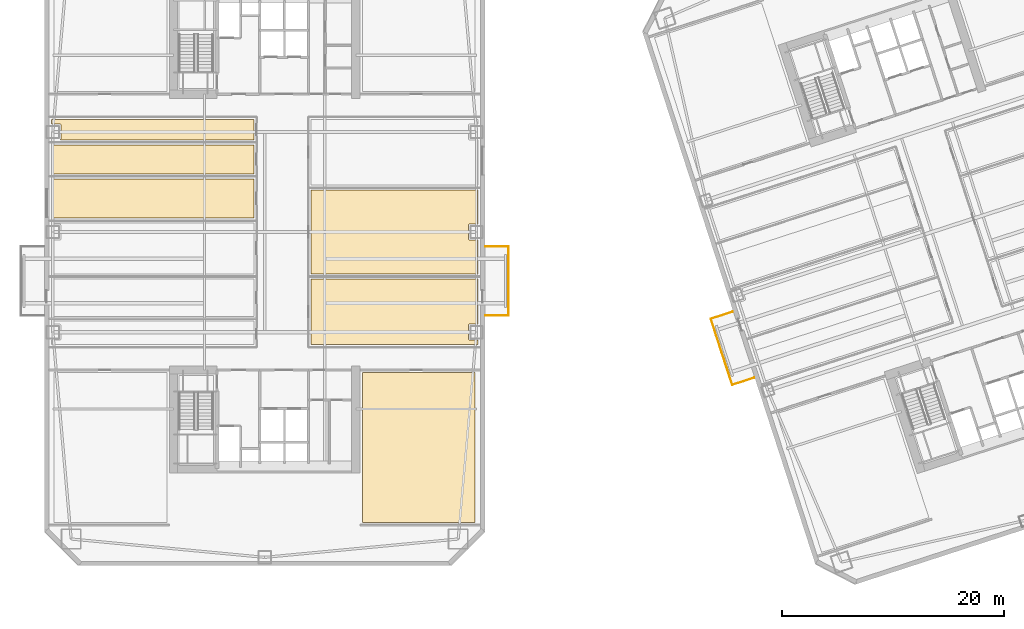
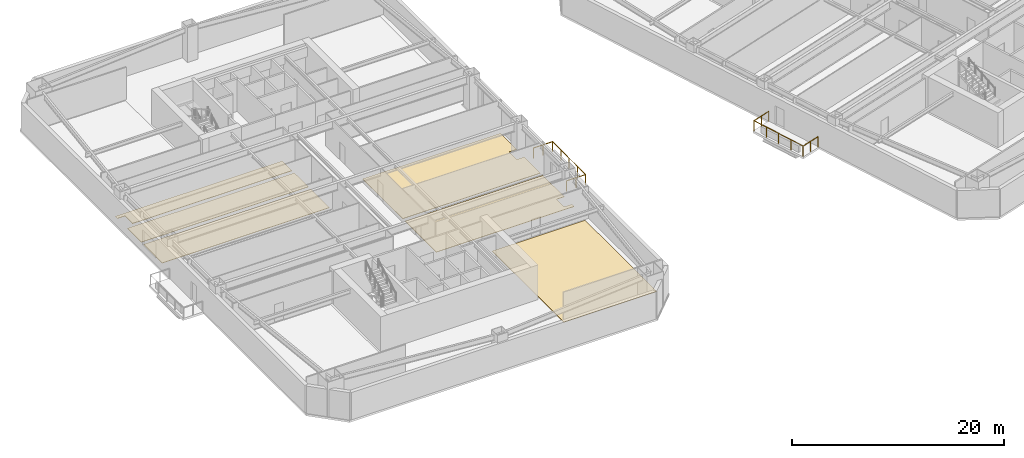
# One storey, part 12 of 18: 6 coverings, 2 railings.
"""IFC4 building model written with IfcOpenShell, lengths in metres."""

from ifc_helpers import new_model, si_unit, direction, frame, origin, origin_2d, place, context, subcontext, project, spatial, polyline, circle, outline, extrude, material, layer, layer_set, type_object, element, save


model = new_model("IFC4")

# Units and contexts
model_context = context("Model", 3, precision=1e-05, world=origin(), true_north=direction((0.0, 1.0)))
body_context = subcontext(model_context, "Body", "Model", "MODEL_VIEW")
ifc_project = project(units=[si_unit("LENGTHUNIT", "METRE"), si_unit("AREAUNIT", "SQUARE_METRE"), si_unit("VOLUMEUNIT", "CUBIC_METRE"), si_unit("PLANEANGLEUNIT", "RADIAN"), si_unit("MASSUNIT", "GRAM", prefix="KILO")], contexts=[model_context])

# Site, building, storey
site_placement = place(None, origin())
site = spatial("IfcSite", under=ifc_project, at=site_placement, CompositionType="ELEMENT")
building_placement = place(site_placement, origin())
building = spatial("IfcBuilding", under=site, at=building_placement, Name="Qiaolan Cultural Towers", CompositionType="ELEMENT")
storey_placement = place(building_placement, frame((0.0, 0.0, 38.0)))
storey = spatial("IfcBuildingStorey", under=building, at=storey_placement, Name="L08", CompositionType="ELEMENT", Elevation=38.0)

# Coverings
ifc_material_1 = material(Name="Honed Terrazzo & Raised Access Flooring", Category="concrete")
ifc_layer = layer(ifc_material_1, 0.0400390625)
ifc_layer_set = layer_set([ifc_layer], Name="Honed Terrazzo & Raised Access Flooring")
covering_type = type_object("IfcCoveringType", Name="COV-FLR-STONE", PredefinedType="FLOORING", material=ifc_layer_set)
covering_1_placement = place(storey_placement, origin())
element("IfcCovering", 1, at=covering_1_placement, inside=storey, type_object=covering_type, Name="L08 Corner Curatorial Research Office Finish Flooring", PredefinedType="FLOORING", context=body_context, shape_type="SweptSolid", body=[
    extrude(outline(polyline([(48.929931640625, 7.8701171875), (48.929931640625, 21.3798828125), (38.800048828125, 21.3798828125), (38.800048828125, 7.8701171875), (48.929931640625, 7.8701171875)])), origin(), (0.0, 0.0, 1.0), 0.0400390625),
])
covering_2_placement = place(storey_placement, origin())
element("IfcCovering", 2, at=covering_2_placement, inside=storey, type_object=covering_type, Name="L08 Wellness Consultation Room Finish Flooring", PredefinedType="FLOORING", context=body_context, shape_type="SweptSolid", body=[
    extrude(outline(polyline([(29.054931640625, 35.248046875), (29.054931640625, 38.780029296875), (10.840087890625, 38.780029296875), (10.840087890625, 35.248046875), (29.054931640625, 35.248046875)])), origin(), (0.0, 0.0, 1.0), 0.0400390625),
])
covering_3_placement = place(storey_placement, origin())
element("IfcCovering", 3, at=covering_3_placement, inside=storey, type_object=covering_type, Name="L08 Wellness Consultation Room Finish Flooring", PredefinedType="FLOORING", context=body_context, shape_type="SweptSolid", body=[
    extrude(outline(polyline([(29.054931640625, 39.219970703125), (29.054931640625, 41.845947265625), (10.840087890625, 41.845947265625), (10.840087890625, 39.219970703125), (29.054931640625, 39.219970703125)])), origin(), (0.0, 0.0, 1.0), 0.0400390625),
])
covering_4_placement = place(storey_placement, origin())
element("IfcCovering", 4, at=covering_4_placement, inside=storey, type_object=covering_type, Name="L08 Staff Lounge Finish Flooring", PredefinedType="FLOORING", context=body_context, shape_type="SweptSolid", body=[
    extrude(outline(polyline([(10.840087890625, 43.72509765625), (11.554931640625, 43.72509765625), (11.566650390625, 43.724365234375), (11.578369140625, 43.72265625), (11.58984375, 43.7197265625), (11.600830078125, 43.7158203125), (11.611572265625, 43.7109375), (11.62158203125, 43.704833984375), (11.631103515625, 43.69775390625), (11.639892578125, 43.68994140625), (11.647705078125, 43.68115234375), (11.65478515625, 43.671630859375), (11.660888671875, 43.66162109375), (11.665771484375, 43.65087890625), (11.669921875, 43.639892578125), (11.672607421875, 43.62841796875), (11.67431640625, 43.61669921875), (11.675048828125, 43.60498046875), (11.675048828125, 42.39501953125), (11.67431640625, 42.38330078125), (11.672607421875, 42.37158203125), (11.669921875, 42.360107421875), (11.665771484375, 42.34912109375), (11.660888671875, 42.33837890625), (11.65478515625, 42.328369140625), (11.647705078125, 42.31884765625), (11.639892578125, 42.31005859375), (11.631103515625, 42.30224609375), (11.62158203125, 42.295166015625), (11.611572265625, 42.2890625), (11.60498046875, 42.285888671875), (29.054931640625, 42.285888671875), (29.054931640625, 44.1298828125), (10.840087890625, 44.1298828125), (10.840087890625, 43.72509765625)])), origin(), (0.0, 0.0, 1.0), 0.0400390625),
])
covering_5_placement = place(storey_placement, origin())
element("IfcCovering", 5, at=covering_5_placement, inside=storey, type_object=covering_type, Name="L08 Cultural Bookstore Gallery Finish Flooring", PredefinedType="FLOORING", context=body_context, shape_type="SweptSolid", body=[
    extrude(outline(polyline([(49.159912109375, 24.27490234375), (48.445068359375, 24.27490234375), (48.433349609375, 24.275634765625), (48.421630859375, 24.27734375), (48.41015625, 24.2802734375), (48.399169921875, 24.2841796875), (48.388427734375, 24.2890625), (48.37841796875, 24.295166015625), (48.368896484375, 24.30224609375), (48.360107421875, 24.31005859375), (48.352294921875, 24.31884765625), (48.34521484375, 24.328369140625), (48.339111328125, 24.33837890625), (48.334228515625, 24.34912109375), (48.330078125, 24.360107421875), (48.327392578125, 24.37158203125), (48.32568359375, 24.38330078125), (48.324951171875, 24.39501953125), (48.324951171875, 25.60498046875), (48.32568359375, 25.61669921875), (48.327392578125, 25.62841796875), (48.330078125, 25.639892578125), (48.334228515625, 25.65087890625), (48.339111328125, 25.66162109375), (48.34521484375, 25.671630859375), (48.352294921875, 25.68115234375), (48.360107421875, 25.68994140625), (48.368896484375, 25.69775390625), (48.37841796875, 25.704833984375), (48.388427734375, 25.7109375), (48.399169921875, 25.7158203125), (48.41015625, 25.7197265625), (48.421630859375, 25.72265625), (48.433349609375, 25.724365234375), (48.445068359375, 25.72509765625), (49.159912109375, 25.72509765625), (49.159912109375, 29.780029296875), (34.14501953125, 29.780029296875), (34.14501953125, 23.8701171875), (49.159912109375, 23.8701171875), (49.159912109375, 24.27490234375)])), origin(), (0.0, 0.0, 1.0), 0.0400390625),
])
covering_6_placement = place(storey_placement, origin())
element("IfcCovering", 6, at=covering_6_placement, inside=storey, type_object=covering_type, Name="L08 Design Archive Studio Finish Flooring", PredefinedType="FLOORING", context=body_context, shape_type="SweptSolid", body=[
    extrude(outline(polyline([(49.159912109375, 33.27490234375), (48.445068359375, 33.27490234375), (48.433349609375, 33.275634765625), (48.421630859375, 33.27734375), (48.41015625, 33.2802734375), (48.399169921875, 33.2841796875), (48.388427734375, 33.2890625), (48.37841796875, 33.295166015625), (48.368896484375, 33.30224609375), (48.360107421875, 33.31005859375), (48.352294921875, 33.31884765625), (48.34521484375, 33.328369140625), (48.339111328125, 33.33837890625), (48.334228515625, 33.34912109375), (48.330078125, 33.360107421875), (48.327392578125, 33.37158203125), (48.32568359375, 33.38330078125), (48.324951171875, 33.39501953125), (48.324951171875, 34.60498046875), (48.32568359375, 34.61669921875), (48.327392578125, 34.62841796875), (48.330078125, 34.639892578125), (48.334228515625, 34.65087890625), (48.339111328125, 34.66162109375), (48.34521484375, 34.671630859375), (48.352294921875, 34.68115234375), (48.360107421875, 34.68994140625), (48.368896484375, 34.69775390625), (48.37841796875, 34.704833984375), (48.388427734375, 34.7109375), (48.399169921875, 34.7158203125), (48.41015625, 34.7197265625), (48.421630859375, 34.72265625), (48.433349609375, 34.724365234375), (48.445068359375, 34.72509765625), (49.159912109375, 34.72509765625), (49.159912109375, 37.780029296875), (34.14501953125, 37.780029296875), (34.14501953125, 30.219970703125), (49.159912109375, 30.219970703125), (49.159912109375, 33.27490234375)])), origin(), (0.0, 0.0, 1.0), 0.0400390625),
])

# Railings
ifc_material_2 = material(Name="Laminated SentryGlas & Stainless Steel S31608 Balustrade", Category="steel")
railing_type = type_object("IfcRailingType", Name="GRD-TERR-1200", PredefinedType="BALUSTRADE", material=ifc_material_2)
railing_1_placement = place(storey_placement, frame((49.85009765625, 26.47998046875, 0.0)))
element("IfcRailing", 7, at=railing_1_placement, inside=storey, type_object=railing_type, Name="L08 T1 Tree Balcony Guardrail E", PredefinedType="BALUSTRADE", context=body_context, shape_type="SweptSolid", body=[
    extrude(circle(Radius=0.02392578125, at=origin_2d()), frame((0.0, 0.0, 1.17578125), z_axis=(1.0, 0.0, 0.0), x_axis=(0.0, 1.0, 0.0)), (0.0, 0.0, 1.0), 2.06982421875),
    extrude(circle(Radius=0.02392578125, at=origin_2d()), frame((2.06982421875, 0.0, 1.17578125), z_axis=(0.0, 1.0, 0.0), x_axis=(-1.0, 0.0, 0.0)), (0.0, 0.0, 1.0), 6.239990234375),
    extrude(circle(Radius=0.02392578125, at=origin_2d()), frame((2.06982421875, 6.239990234375, 1.17578125), z_axis=(-1.0, 0.0, 0.0), x_axis=(0.0, -1.0, 0.0)), (0.0, 0.0, 1.0), 2.06982421875),
    extrude(circle(Radius=0.02099609375, at=origin_2d()), origin(), (0.0, 0.0, 1.0), 1.15185546875),
    extrude(circle(Radius=0.02099609375, at=origin_2d()), frame((1.034912109375, 0.0, 0.0)), (0.0, 0.0, 1.0), 1.15185546875),
    extrude(circle(Radius=0.02099609375, at=origin_2d()), frame((2.06982421875, 0.0, 0.0)), (0.0, 0.0, 1.0), 1.15185546875),
    extrude(circle(Radius=0.02099609375, at=origin_2d()), frame((2.06982421875, 1.56005859375, 0.0)), (0.0, 0.0, 1.0), 1.15185546875),
    extrude(circle(Radius=0.02099609375, at=origin_2d()), frame((2.06982421875, 3.1201171875, 0.0)), (0.0, 0.0, 1.0), 1.15185546875),
    extrude(circle(Radius=0.02099609375, at=origin_2d()), frame((2.06982421875, 4.679931640625, 0.0)), (0.0, 0.0, 1.0), 1.15185546875),
    extrude(circle(Radius=0.02099609375, at=origin_2d()), frame((2.06982421875, 6.239990234375, 0.0)), (0.0, 0.0, 1.0), 1.15185546875),
    extrude(circle(Radius=0.02099609375, at=origin_2d()), frame((1.034912109375, 6.239990234375, 0.0)), (0.0, 0.0, 1.0), 1.15185546875),
    extrude(circle(Radius=0.02099609375, at=origin_2d()), frame((0.0, 6.239990234375, 0.0)), (0.0, 0.0, 1.0), 1.15185546875),
])
railing_2_placement = place(storey_placement, frame((74.015869140625, 20.8994140625, 0.0)))
element("IfcRailing", 8, at=railing_2_placement, inside=storey, type_object=railing_type, Name="L08 T2 Tree Balcony Guardrail W", PredefinedType="BALUSTRADE", context=body_context, shape_type="SweptSolid", body=[
    extrude(circle(Radius=0.02392578125, at=origin_2d()), frame((0.0, 0.0, 1.17578125), z_axis=(-0.951050536716, -0.309035397023, 0.0), x_axis=(0.309035397023, -0.951050536716, 0.0)), (0.0, 0.0, 1.0), 2.06982421875),
    extrude(circle(Radius=0.02392578125, at=origin_2d()), frame((-1.968505859375, -0.6396484375, 1.17578125), z_axis=(-0.309047146287, 0.951046718817, 0.0), x_axis=(-0.951046718817, -0.309047146287, 0.0)), (0.0, 0.0, 1.0), 6.239990234375),
    extrude(circle(Radius=0.02392578125, at=origin_2d()), frame((-3.89697265625, 5.294921875, 1.17578125), z_axis=(0.951061799618, 0.309000733507, 0.0), x_axis=(-0.309000733507, 0.951061799618, 0.0)), (0.0, 0.0, 1.0), 2.070068359375),
    extrude(circle(Radius=0.02099609375, at=origin_2d()), origin(), (0.0, 0.0, 1.0), 1.15185546875),
    extrude(circle(Radius=0.02099609375, at=origin_2d()), frame((-0.984375, -0.31982421875, 0.0)), (0.0, 0.0, 1.0), 1.15185546875),
    extrude(circle(Radius=0.02099609375, at=origin_2d()), frame((-1.968505859375, -0.6396484375, 0.0)), (0.0, 0.0, 1.0), 1.15185546875),
    extrude(circle(Radius=0.02099609375, at=origin_2d()), frame((-2.45068359375, 0.843994140625, 0.0)), (0.0, 0.0, 1.0), 1.15185546875),
    extrude(circle(Radius=0.02099609375, at=origin_2d()), frame((-2.9326171875, 2.32763671875, 0.0)), (0.0, 0.0, 1.0), 1.15185546875),
    extrude(circle(Radius=0.02099609375, at=origin_2d()), frame((-3.414794921875, 3.811279296875, 0.0)), (0.0, 0.0, 1.0), 1.15185546875),
    extrude(circle(Radius=0.02099609375, at=origin_2d()), frame((-3.89697265625, 5.294921875, 0.0)), (0.0, 0.0, 1.0), 1.15185546875),
    extrude(circle(Radius=0.02099609375, at=origin_2d()), frame((-2.91259765625, 5.61474609375, 0.0)), (0.0, 0.0, 1.0), 1.15185546875),
    extrude(circle(Radius=0.02099609375, at=origin_2d()), frame((-1.92822265625, 5.9345703125, 0.0)), (0.0, 0.0, 1.0), 1.15185546875),
])

save(model, "model.ifc")
